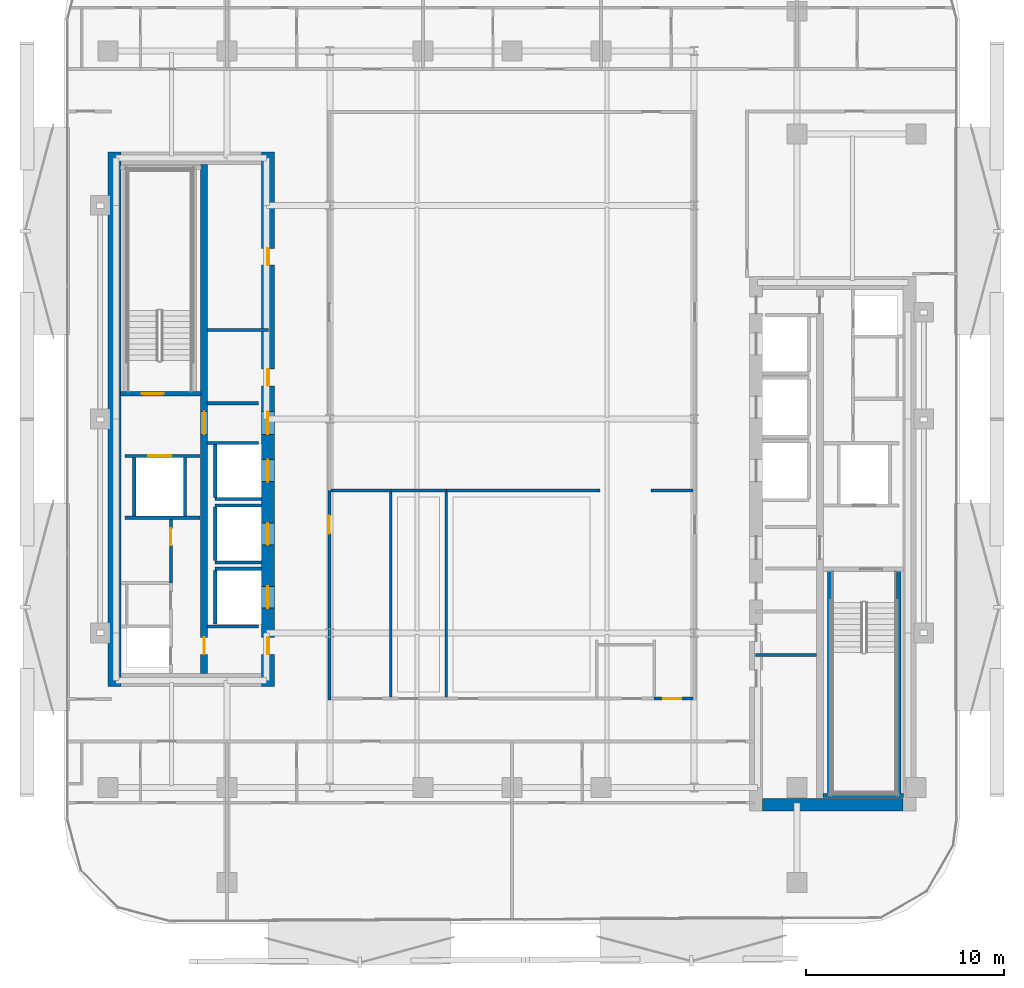
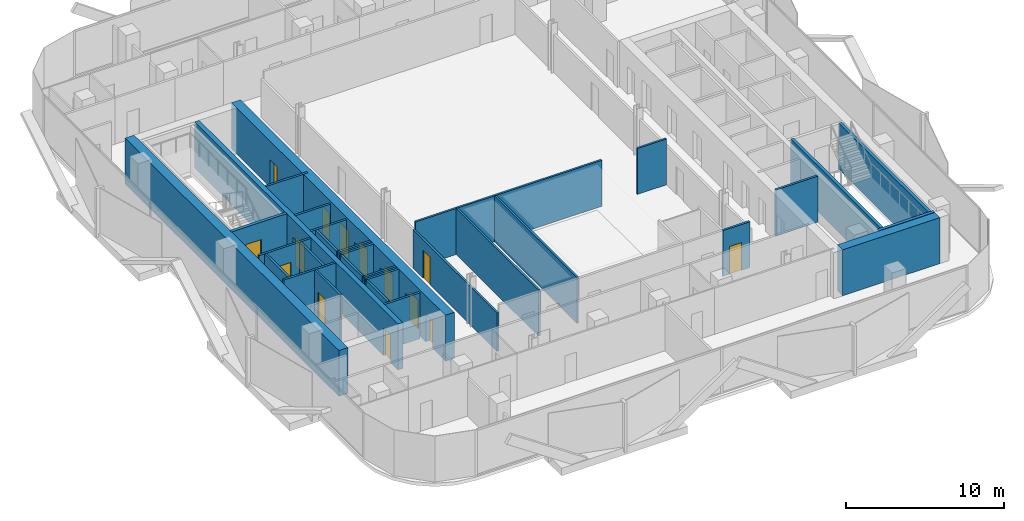
# One storey, part 4 of 17: 33 walls, 14 doors, 14 openings.
"""IFC4 building model written with IfcOpenShell, lengths in metres."""

from ifc_helpers import new_model, si_unit, direction, frame, frame_2d, origin, place, context, subcontext, project, spatial, rectangle, extrude, material, layer, layer_set, type_object, element, fill, save


model = new_model("IFC4")

# Units and contexts
model_context = context("Model", 3, precision=1e-05, world=origin(), true_north=direction((0.0, 1.0)))
body_context = subcontext(model_context, "Body", "Model", "MODEL_VIEW")
ifc_project = project(units=[si_unit("LENGTHUNIT", "METRE"), si_unit("AREAUNIT", "SQUARE_METRE"), si_unit("VOLUMEUNIT", "CUBIC_METRE"), si_unit("PLANEANGLEUNIT", "RADIAN"), si_unit("MASSUNIT", "GRAM", prefix="KILO")], contexts=[model_context])

# Site, building, storey
site_placement = place(None, origin())
site = spatial("IfcSite", under=ifc_project, at=site_placement, CompositionType="ELEMENT")
building_placement = place(site_placement, origin())
building = spatial("IfcBuilding", under=site, at=building_placement, Name="Khairoan Windgate Tower", CompositionType="ELEMENT")
storey_placement = place(building_placement, frame((0.0, 0.0, 168.800048828125)))
storey = spatial("IfcBuildingStorey", under=building, at=storey_placement, Name="L38", CompositionType="ELEMENT", Elevation=168.800048828125)

# Walls
ifc_material_1 = material(Name="Concrete C40/50", Category="concrete")
ifc_layer_1 = layer(ifc_material_1, 0.159912109375, Name="Concrete C40/50")
ifc_layer_set_1 = layer_set([ifc_layer_1], Name="Concrete C40/50")
wall_type_1 = type_object("IfcWallType", Name="Core and Hoistway Enclosure Wall", PredefinedType="STANDARD", material=ifc_layer_set_1)
wall_1_placement = place(storey_placement, frame((-14.989990234375, -4.0400390625, 0.0), z_axis=(0.0, 0.0, 1.0), x_axis=(1.0, 0.0, 0.0)))
element("IfcWall", 1, at=wall_1_placement, inside=storey, type_object=wall_type_1, Name="L38 Lift PL4 Hoistway Divider S", PredefinedType="STANDARD", context=body_context, shape_type="SweptSolid", body=[
    extrude(rectangle(XDim=2.340087890625, YDim=0.159912109375, at=frame_2d((1.169921875, 0.0))), origin(), (0.0, 0.0, 1.0), 3.5400390625),
])
wall_2_placement = place(storey_placement, frame((-14.989990234375, -3.949951171875, 0.0), z_axis=(0.0, 0.0, 1.0), x_axis=(0.0, 1.0, 0.0)))
element("IfcWall", 2, at=wall_2_placement, inside=storey, type_object=wall_type_1, Name="L38 Lift PL4 Hoistway Back Wall", PredefinedType="STANDARD", context=body_context, shape_type="SweptSolid", body=[
    extrude(rectangle(XDim=2.699951171875, YDim=0.159912109375, at=frame_2d((1.35009765625, 0.0))), origin(), (0.0, 0.0, 1.0), 3.5400390625),
])
for number, where, z_axis, x_axis, name in (
    (3, (-14.989990234375, -7.239990234375, 0.0), (0.0, 0.0, 1.0), (1.0, 0.0, 0.0), "L38 Lift PL5 Hoistway Divider S"),
    (4, (-14.989990234375, -4.360107421875, 0.0), (0.0, 0.0, 1.0), (1.0, 0.0, 0.0), "L38 Lift PL5 Hoistway Divider N"),
):
    element("IfcWall", number, at=place(storey_placement, frame(where, z_axis=z_axis, x_axis=x_axis)), inside=storey, type_object=wall_type_1, Name=name, PredefinedType="STANDARD", context=body_context, shape_type="SweptSolid", body=[
        extrude(rectangle(XDim=2.340087890625, YDim=0.159912109375, at=frame_2d((1.169921875, 0.0))), origin(), (0.0, 0.0, 1.0), 3.5400390625),
    ])
wall_3_placement = place(storey_placement, frame((-14.989990234375, -7.14990234375, 0.0), z_axis=(0.0, 0.0, 1.0), x_axis=(0.0, 1.0, 0.0)))
element("IfcWall", 5, at=wall_3_placement, inside=storey, type_object=wall_type_1, Name="L38 Lift PL5 Hoistway Back Wall", PredefinedType="STANDARD", context=body_context, shape_type="SweptSolid", body=[
    extrude(rectangle(XDim=2.699951171875, YDim=0.159912109375, at=frame_2d((1.35009765625, 0.0))), origin(), (0.0, 0.0, 1.0), 3.5400390625),
])
wall_4_placement = place(storey_placement, frame((-14.989990234375, -7.56005859375, 0.0), z_axis=(0.0, 0.0, 1.0), x_axis=(1.0, 0.0, 0.0)))
element("IfcWall", 6, at=wall_4_placement, inside=storey, type_object=wall_type_1, Name="L38 Lift PL6 Hoistway Divider N", PredefinedType="STANDARD", context=body_context, shape_type="SweptSolid", body=[
    extrude(rectangle(XDim=2.340087890625, YDim=0.159912109375, at=frame_2d((1.169921875, 0.0))), origin(), (0.0, 0.0, 1.0), 3.5400390625),
])
wall_5_placement = place(storey_placement, frame((-14.989990234375, -10.35009765625, 0.0), z_axis=(0.0, 0.0, 1.0), x_axis=(0.0, 1.0, 0.0)))
element("IfcWall", 7, at=wall_5_placement, inside=storey, type_object=wall_type_1, Name="L38 Lift PL6 Hoistway Back Wall", PredefinedType="STANDARD", context=body_context, shape_type="SweptSolid", body=[
    extrude(rectangle(XDim=2.7001953125, YDim=0.159912109375, at=frame_2d((1.35009765625, 0.0))), origin(), (0.0, 0.0, 1.0), 3.5400390625),
])

# Wall, opening, door
wall_6_placement = place(storey_placement, frame((-19.550048828125, -1.860107421875, 0.0), z_axis=(0.0, 0.0, 1.0), x_axis=(1.0, 0.0, 0.0)))
wall_6 = element("IfcWall", 8, at=wall_6_placement, inside=storey, type_object=wall_type_1, Name="L38 Core Shaft Wall SW-FL2-L38", PredefinedType="STANDARD", context=body_context, shape_type="SweptSolid", body=[
    extrude(rectangle(XDim=3.800048828125, YDim=0.159912109375, at=frame_2d((1.89990234375, 0.0))), origin(), (0.0, 0.0, 1.0), 3.5400390625),
])
opening_1_placement = place(wall_6_placement, frame((1.179931640625, 0.0, 0.0)))
opening_1 = element("IfcOpeningElement", 9, at=opening_1_placement, cuts=wall_6, Name="Opening LD-FL", PredefinedType="OPENING", context=body_context, shape_type="SweptSolid", body=[
    extrude(rectangle(XDim=1.14990234375, YDim=2.199951171875, at=frame_2d((0.574951171875, 1.10009765625))), frame((0.0, 0.08984375, 0.0), z_axis=(0.0, -1.0, 0.0), x_axis=(1.0, 0.0, 0.0)), (0.0, 0.0, 1.0), 0.179931640625),
])
ifc_material_2 = material(Name="Steel S355", Category="steel")
door_type_1 = type_object("IfcDoorType", Name="Firefighting Lift Sliding Landing Door LD-FL 1150x2200", OperationType="DOUBLE_DOOR_SLIDING", PredefinedType="DOOR", material=ifc_material_2)
door_1_placement = place(opening_1_placement, origin())
door_1 = element("IfcDoor", 10, at=door_1_placement, inside=storey, type_object=door_type_1, Name="L38 Firefighting Lift FL2 Landing Door", OperationType="DOUBLE_DOOR_SLIDING", OverallHeight=2.199951171875, OverallWidth=1.14990234375, PredefinedType="DOOR", context=body_context, shape_type="SweptSolid", body=[
    extrude(rectangle(XDim=1.14990234375, YDim=2.199951171875, at=frame_2d((0.574951171875, 1.10009765625))), frame((0.0, 0.02490234375, 0.0), z_axis=(0.0, -1.0, 0.0), x_axis=(1.0, 0.0, 0.0)), (0.0, 0.0, 1.0), 0.050048828125),
])
fill(opening_1, door_1)

# Walls
wall_7_placement = place(storey_placement, frame((-19.550048828125, -4.97998046875, 0.0), z_axis=(0.0, 0.0, 1.0), x_axis=(1.0, 0.0, 0.0)))
element("IfcWall", 11, at=wall_7_placement, inside=storey, type_object=wall_type_1, Name="L38 Core Shaft Wall SW-FL2B-L38", PredefinedType="STANDARD", context=body_context, shape_type="SweptSolid", body=[
    extrude(rectangle(XDim=3.800048828125, YDim=0.159912109375, at=frame_2d((1.89990234375, 0.0))), origin(), (0.0, 0.0, 1.0), 3.5400390625),
])
for number, where, z_axis, x_axis, name in (
    (12, (-19.080078125, -4.89990234375, 0.0), (0.0, 0.0, 1.0), (0.0, 1.0, 0.0), "L38 Core Shaft Wall SW-FL2W-L38"),
    (13, (-16.52001953125, -4.89990234375, 0.0), (0.0, 0.0, 1.0), (0.0, 1.0, 0.0), "L38 Core Shaft Wall SW-FL2E-L38"),
):
    element("IfcWall", number, at=place(storey_placement, frame(where, z_axis=z_axis, x_axis=x_axis)), inside=storey, type_object=wall_type_1, Name=name, PredefinedType="STANDARD", context=body_context, shape_type="SweptSolid", body=[
        extrude(rectangle(XDim=2.9599609375, YDim=0.159912109375, at=frame_2d((1.47998046875, 0.0))), origin(), (0.0, 0.0, 1.0), 3.5400390625),
    ])
for number, where, z_axis, x_axis, name in (
    (14, (-15.39990234375, 0.800048828125, 0.0), (0.0, 0.0, 1.0), (1.0, 0.0, 0.0), "L38 Core Shaft Wall SW-WV1-L38"),
    (15, (-15.39990234375, -1.199951171875, 0.0), (0.0, 0.0, 1.0), (1.0, 0.0, 0.0), "L38 Core Shaft Wall SW-WV2-L38"),
    (16, (-15.39990234375, -10.47998046875, 0.0), (0.0, 0.0, 1.0), (1.0, 0.0, 0.0), "L38 Core Shaft Wall SW-WSV-L38"),
):
    element("IfcWall", number, at=place(storey_placement, frame(where, z_axis=z_axis, x_axis=x_axis)), inside=storey, type_object=wall_type_1, Name=name, PredefinedType="STANDARD", context=body_context, shape_type="SweptSolid", body=[
        extrude(rectangle(XDim=2.599853515625, YDim=0.159912109375, at=frame_2d((1.2998046875, 0.0))), origin(), (0.0, 0.0, 1.0), 3.5400390625),
    ])
ifc_material_3 = material(Name="Acoustic Fire-Rated Gypsum Partition", Category="gypsum")
ifc_layer_2 = layer(ifc_material_3, 0.139892578125, Name="Acoustic Fire-Rated Gypsum Partition")
ifc_layer_set_2 = layer_set([ifc_layer_2], Name="Acoustic Fire-Rated Gypsum Partition")
wall_type_2 = type_object("IfcWallType", Name="Inter-Tenancy Compartment Wall", PredefinedType="PARTITIONING", material=ifc_layer_set_2)
wall_8_placement = place(storey_placement, frame((-6.1201171875, -14.044921875, 0.0), z_axis=(0.0, 0.0, 1.0), x_axis=(0.0, 1.0, 0.0)))
element("IfcWall", 17, at=wall_8_placement, inside=storey, type_object=wall_type_2, Name="L38 Interior Partition 044", PredefinedType="PARTITIONING", context=body_context, shape_type="SweptSolid", body=[
    extrude(rectangle(XDim=10.375, YDim=0.139892578125, at=frame_2d((5.1875, 0.0))), origin(), (0.0, 0.0, 1.0), 3.5400390625),
])
wall_9_placement = place(storey_placement, frame((-9.14501953125, -3.60009765625, 0.0), z_axis=(0.0, 0.0, 1.0), x_axis=(1.0, 0.0, 0.0)))
element("IfcWall", 18, at=wall_9_placement, inside=storey, type_object=wall_type_2, Name="L38 Interior Partition 045", PredefinedType="PARTITIONING", context=body_context, shape_type="SweptSolid", body=[
    extrude(rectangle(XDim=3.02490234375, YDim=0.139892578125, at=frame_2d((1.512451171875, 0.0))), origin(), (0.0, 0.0, 1.0), 3.5400390625),
])
wall_10_placement = place(storey_placement, frame((-3.320068359375, -14.044921875, 0.0), z_axis=(0.0, 0.0, 1.0), x_axis=(0.0, 1.0, 0.0)))
element("IfcWall", 19, at=wall_10_placement, inside=storey, type_object=wall_type_2, Name="L38 Interior Partition 046", PredefinedType="PARTITIONING", context=body_context, shape_type="SweptSolid", body=[
    extrude(rectangle(XDim=10.375, YDim=0.139892578125, at=frame_2d((5.1875, 0.0))), origin(), (0.0, 0.0, 1.0), 3.5400390625),
])
wall_11_placement = place(storey_placement, frame((-6.1201171875, -3.60009765625, 0.0), z_axis=(0.0, 0.0, 1.0), x_axis=(1.0, 0.0, 0.0)))
element("IfcWall", 20, at=wall_11_placement, inside=storey, type_object=wall_type_2, Name="L38 Interior Partition 047", PredefinedType="PARTITIONING", context=body_context, shape_type="SweptSolid", body=[
    extrude(rectangle(XDim=2.800048828125, YDim=0.139892578125, at=frame_2d((1.39990234375, 0.0))), origin(), (0.0, 0.0, 1.0), 3.5400390625),
])
wall_12_placement = place(storey_placement, frame((-3.320068359375, -3.60009765625, 0.0), z_axis=(0.0, 0.0, 1.0), x_axis=(1.0, 0.0, 0.0)))
element("IfcWall", 21, at=wall_12_placement, inside=storey, type_object=wall_type_2, Name="L38 Interior Partition 049", PredefinedType="PARTITIONING", context=body_context, shape_type="SweptSolid", body=[
    extrude(rectangle(XDim=7.760009765625, YDim=0.139892578125, at=frame_2d((3.8798828125, 0.0))), origin(), (0.0, 0.0, 1.0), 3.5400390625),
])
wall_13_placement = place(storey_placement, frame((7.02001953125, -3.60009765625, 0.0), z_axis=(0.0, 0.0, 1.0), x_axis=(1.0, 0.0, 0.0)))
element("IfcWall", 22, at=wall_13_placement, inside=storey, type_object=wall_type_2, Name="L38 Interior Partition 051", PredefinedType="PARTITIONING", context=body_context, shape_type="SweptSolid", body=[
    extrude(rectangle(XDim=2.125, YDim=0.139892578125, at=frame_2d((1.0625, 0.0))), origin(), (0.0, 0.0, 1.0), 3.5400390625),
])

# Wall, opening, door
ifc_material_4 = material(Name="Concrete C40/50", Category="concrete")
ifc_layer_3 = layer(ifc_material_4, 0.159912109375, Name="Concrete C40/50")
ifc_layer_set_3 = layer_set([ifc_layer_3], Name="Concrete C40/50")
wall_type_3 = type_object("IfcWallType", Name="Plant and Refuge Compartment Wall", PredefinedType="PARTITIONING", material=ifc_layer_set_3)
wall_14_placement = place(storey_placement, frame((-17.22998046875, -8.27001953125, 0.0), z_axis=(0.0, 0.0, 1.0), x_axis=(0.0, 1.0, 0.0)))
wall_14 = element("IfcWall", 23, at=wall_14_placement, inside=storey, type_object=wall_type_3, Name="L38 Interior Partition 003", PredefinedType="PARTITIONING", context=body_context, shape_type="SweptSolid", body=[
    extrude(rectangle(XDim=3.2099609375, YDim=0.159912109375, at=frame_2d((1.60498046875, 0.0))), origin(), (0.0, 0.0, 1.0), 3.5400390625),
])
opening_2_placement = place(wall_14_placement, frame((1.89990234375, 0.0, 0.0)))
opening_2 = element("IfcOpeningElement", 24, at=opening_2_placement, cuts=wall_14, Name="Opening FD-SRV", PredefinedType="OPENING", context=body_context, shape_type="SweptSolid", body=[
    extrude(rectangle(XDim=0.85009765625, YDim=2.10009765625, at=frame_2d((0.425048828125, 1.050048828125))), frame((0.0, 0.08984375, 0.0), z_axis=(0.0, -1.0, 0.0), x_axis=(1.0, 0.0, 0.0)), (0.0, 0.0, 1.0), 0.179931640625),
])
ifc_material_5 = material(Name="Steel S355", Category="steel")
door_type_2 = type_object("IfcDoorType", Name="Core Service and Riser Fire Door FD-SRV 850x2100", OperationType="NOTDEFINED", PredefinedType="DOOR", material=ifc_material_5)
door_2_placement = place(opening_2_placement, origin())
door_2 = element("IfcDoor", 25, at=door_2_placement, inside=storey, type_object=door_type_2, Name="L38 L38-04-L38-07 Door", OperationType="SINGLE_SWING_RIGHT", OverallHeight=2.10009765625, OverallWidth=0.85009765625, PredefinedType="DOOR", context=body_context, shape_type="SweptSolid", body=[
    extrude(rectangle(XDim=0.85009765625, YDim=2.10009765625, at=frame_2d((0.425048828125, 1.050048828125))), frame((0.0, 0.02490234375, 0.0), z_axis=(0.0, -1.0, 0.0), x_axis=(1.0, 0.0, 0.0)), (0.0, 0.0, 1.0), 0.050048828125),
])
fill(opening_2, door_2)

# Walls
for number, where, z_axis, x_axis, name in (
    (26, (-15.375, 4.5, 0.0), (0.0, 0.0, 1.0), (1.0, 0.0, 0.0), "L38 Interior Partition 006"),
    (27, (12.31005859375, -11.919921875, 0.0), (0.0, 0.0, 1.0), (1.0, 0.0, 0.0), "L38 Interior Partition 012"),
):
    element("IfcWall", number, at=place(storey_placement, frame(where, z_axis=z_axis, x_axis=x_axis)), inside=storey, type_object=wall_type_3, Name=name, PredefinedType="PARTITIONING", context=body_context, shape_type="SweptSolid", body=[
        extrude(rectangle(XDim=3.06494140625, YDim=0.159912109375, at=frame_2d((1.532470703125, 0.0))), origin(), (0.0, 0.0, 1.0), 3.5400390625),
    ])

# Wall, opening, door
ifc_material_6 = material(Name="Acoustic Fire-Rated Gypsum Partition", Category="gypsum")
ifc_layer_4 = layer(ifc_material_6, 0.14990234375, Name="Acoustic Fire-Rated Gypsum Partition")
ifc_layer_set_4 = layer_set([ifc_layer_4], Name="Acoustic Fire-Rated Gypsum Partition")
wall_type_4 = type_object("IfcWallType", Name="Rated Corridor Partition Wall", PredefinedType="PARTITIONING", material=ifc_layer_set_4)
wall_15_placement = place(storey_placement, frame((-9.219970703125, -14.195068359375, 0.0), z_axis=(0.0, 0.0, 1.0), x_axis=(0.0, 1.0, 0.0)))
wall_15 = element("IfcWall", 28, at=wall_15_placement, inside=storey, type_object=wall_type_4, Name="L38 Interior Partition 014", PredefinedType="PARTITIONING", context=body_context, shape_type="SweptSolid", body=[
    extrude(rectangle(XDim=10.594970703125, YDim=0.14990234375, at=frame_2d((5.29736328125, 0.0))), origin(), (0.0, 0.0, 1.0), 2.951904296875),
])
opening_3_placement = place(wall_15_placement, frame((8.418701171875, 0.0, 0.0)))
opening_3 = element("IfcOpeningElement", 29, at=opening_3_placement, cuts=wall_15, Name="Opening FD-ENT", PredefinedType="OPENING", context=body_context, shape_type="SweptSolid", body=[
    extrude(rectangle(XDim=0.89990234375, YDim=2.14990234375, at=frame_2d((0.449951171875, 1.074951171875))), frame((0.0, 0.0849609375, 0.0), z_axis=(0.0, -1.0, 0.0), x_axis=(1.0, 0.0, 0.0)), (0.0, 0.0, 1.0), 0.169921875),
])
ifc_material_7 = material(Name="Timber Fire-Rated Core", Category="wood")
door_type_3 = type_object("IfcDoorType", Name="Unit and Office Fire Entrance Door FD-ENT 900x2150", OperationType="NOTDEFINED", PredefinedType="DOOR", material=ifc_material_7)
door_3_placement = place(opening_3_placement, origin())
door_3 = element("IfcDoor", 30, at=door_3_placement, inside=storey, type_object=door_type_3, Name="L38 L38-30-L38-34 Door", OperationType="SINGLE_SWING_RIGHT", OverallHeight=2.14990234375, OverallWidth=0.89990234375, PredefinedType="DOOR", context=body_context, shape_type="SweptSolid", body=[
    extrude(rectangle(XDim=0.89990234375, YDim=2.14990234375, at=frame_2d((0.449951171875, 1.074951171875))), frame((0.0, 0.02490234375, 0.0), z_axis=(0.0, -1.0, 0.0), x_axis=(1.0, 0.0, 0.0)), (0.0, 0.0, 1.0), 0.050048828125),
])
fill(opening_3, door_3)

wall_16_placement = place(storey_placement, frame((7.179931640625, -14.1201171875, 0.0), z_axis=(0.0, 0.0, 1.0), x_axis=(1.0, 0.0, 0.0)))
wall_16 = element("IfcWall", 31, at=wall_16_placement, inside=storey, type_object=wall_type_4, Name="L38 Interior Partition 036", PredefinedType="PARTITIONING", context=body_context, shape_type="SweptSolid", body=[
    extrude(rectangle(XDim=1.965087890625, YDim=0.14990234375, at=frame_2d((0.982421875, 0.0))), origin(), (0.0, 0.0, 1.0), 3.5400390625),
])
opening_4_placement = place(wall_16_placement, frame((0.4599609375, 0.0, 0.0)))
opening_4 = element("IfcOpeningElement", 32, at=opening_4_placement, cuts=wall_16, Name="Opening FD-ENT", PredefinedType="OPENING", context=body_context, shape_type="SweptSolid", body=[
    extrude(rectangle(XDim=0.89990234375, YDim=2.14990234375, at=frame_2d((0.449951171875, 1.074951171875))), frame((0.0, 0.0849609375, 0.0), z_axis=(0.0, -1.0, 0.0), x_axis=(1.0, 0.0, 0.0)), (0.0, 0.0, 1.0), 0.169921875),
])
door_4_placement = place(opening_4_placement, origin())
door_4 = element("IfcDoor", 33, at=door_4_placement, inside=storey, type_object=door_type_3, Name="L38 L38-33-L38-38 Door", OperationType="SINGLE_SWING_LEFT", OverallHeight=2.14990234375, OverallWidth=0.89990234375, PredefinedType="DOOR", context=body_context, shape_type="SweptSolid", body=[
    extrude(rectangle(XDim=0.89990234375, YDim=2.14990234375, at=frame_2d((0.449951171875, 1.074951171875))), frame((0.0, 0.02490234375, 0.0), z_axis=(0.0, -1.0, 0.0), x_axis=(1.0, 0.0, 0.0)), (0.0, 0.0, 1.0), 0.050048828125),
])
fill(opening_4, door_4)

# Walls
ifc_material_8 = material(Name="Concrete C60/75", Category="concrete")
ifc_layer_5 = layer(ifc_material_8, 0.64990234375, Name="Concrete C60/75")
ifc_layer_set_5 = layer_set([ifc_layer_5], Name="Concrete C60/75")
wall_type_5 = type_object("IfcWallType", Name="Shear Wall CW-E2 650mm", PredefinedType="SHEAR", material=ifc_layer_set_5)
wall_17_placement = place(storey_placement, frame((12.64990234375, -19.47509765625, 0.0), z_axis=(0.0, 0.0, 1.0), x_axis=(1.0, 0.0, 0.0)))
element("IfcWall", 34, at=wall_17_placement, inside=storey, type_object=wall_type_5, Name="E Core South Shear Wall L38", PredefinedType="SHEAR", context=body_context, shape_type="SweptSolid", body=[
    extrude(rectangle(XDim=7.10009765625, YDim=0.64990234375, at=frame_2d((3.550048828125, 0.0))), origin(), (0.0, 0.0, 1.0), 3.5400390625),
])
ifc_material_9 = material(Name="Concrete C60/75", Category="concrete")
ifc_layer_6 = layer(ifc_material_9, 0.64990234375, Name="Concrete C60/75")
ifc_layer_set_6 = layer_set([ifc_layer_6], Name="Concrete C60/75")
wall_type_6 = type_object("IfcWallType", Name="Shear Wall CW-W2 650mm", PredefinedType="SHEAR", material=ifc_layer_set_6)
wall_18_placement = place(storey_placement, frame((-20.074951171875, -13.5, 0.0), z_axis=(0.0, 0.0, 1.0), x_axis=(0.0, 1.0, 0.0)))
element("IfcWall", 35, at=wall_18_placement, inside=storey, type_object=wall_type_6, Name="W Core West Shear Wall L38", PredefinedType="SHEAR", context=body_context, shape_type="SweptSolid", body=[
    extrude(rectangle(XDim=27.0, YDim=0.64990234375, at=frame_2d((13.5, 0.0))), origin(), (0.0, 0.0, 1.0), 3.5400390625),
])

# Wall, openings, doors
wall_19_placement = place(storey_placement, frame((-12.324951171875, -13.5, 0.0), z_axis=(0.0, 0.0, 1.0), x_axis=(0.0, 1.0, 0.0)))
wall_19 = element("IfcWall", 36, at=wall_19_placement, inside=storey, type_object=wall_type_6, Name="W Core East Shear Wall L38", PredefinedType="SHEAR", context=body_context, shape_type="SweptSolid", body=[
    extrude(rectangle(XDim=27.0, YDim=0.64990234375, at=frame_2d((13.5, 0.0))), origin(), (0.0, 0.0, 1.0), 3.5400390625),
])
opening_5_placement = place(wall_19_placement, frame((10.35009765625, 0.0, 0.0)))
opening_5 = element("IfcOpeningElement", 37, at=opening_5_placement, cuts=wall_19, Name="Opening LD-PL", PredefinedType="OPENING", context=body_context, shape_type="SweptSolid", body=[
    extrude(rectangle(XDim=1.10009765625, YDim=2.199951171875, at=frame_2d((0.550048828125, 1.10009765625))), frame((0.0, 0.3349609375, 0.0), z_axis=(0.0, -1.0, 0.0), x_axis=(1.0, 0.0, 0.0)), (0.0, 0.0, 1.0), 0.669921875),
])
opening_6_placement = place(wall_19_placement, frame((7.14990234375, 0.0, 0.0)))
opening_6 = element("IfcOpeningElement", 38, at=opening_6_placement, cuts=wall_19, Name="Opening LD-PL", PredefinedType="OPENING", context=body_context, shape_type="SweptSolid", body=[
    extrude(rectangle(XDim=1.10009765625, YDim=2.199951171875, at=frame_2d((0.550048828125, 1.10009765625))), frame((0.0, 0.3349609375, 0.0), z_axis=(0.0, -1.0, 0.0), x_axis=(1.0, 0.0, 0.0)), (0.0, 0.0, 1.0), 0.669921875),
])
opening_7_placement = place(wall_19_placement, frame((3.949951171875, 0.0, 0.0)))
opening_7 = element("IfcOpeningElement", 39, at=opening_7_placement, cuts=wall_19, Name="Opening LD-PL", PredefinedType="OPENING", context=body_context, shape_type="SweptSolid", body=[
    extrude(rectangle(XDim=1.10009765625, YDim=2.199951171875, at=frame_2d((0.550048828125, 1.10009765625))), frame((0.0, 0.3349609375, 0.0), z_axis=(0.0, -1.0, 0.0), x_axis=(1.0, 0.0, 0.0)), (0.0, 0.0, 1.0), 0.669921875),
])
opening_8_placement = place(wall_19_placement, frame((15.175048828125, 0.0, 0.0)))
opening_8 = element("IfcOpeningElement", 40, at=opening_8_placement, cuts=wall_19, Name="Opening FD-SRV", PredefinedType="OPENING", context=body_context, shape_type="SweptSolid", body=[
    extrude(rectangle(XDim=0.85009765625, YDim=2.10009765625, at=frame_2d((0.425048828125, 1.050048828125))), frame((0.0, 0.3349609375, 0.0), z_axis=(0.0, -1.0, 0.0), x_axis=(1.0, 0.0, 0.0)), (0.0, 0.0, 1.0), 0.669921875),
])
opening_9_placement = place(wall_19_placement, frame((21.27490234375, 0.0, 0.0)))
opening_9 = element("IfcOpeningElement", 41, at=opening_9_placement, cuts=wall_19, Name="Opening FD-SRV", PredefinedType="OPENING", context=body_context, shape_type="SweptSolid", body=[
    extrude(rectangle(XDim=0.85009765625, YDim=2.10009765625, at=frame_2d((0.425048828125, 1.050048828125))), frame((0.0, 0.3349609375, 0.0), z_axis=(0.0, -1.0, 0.0), x_axis=(1.0, 0.0, 0.0)), (0.0, 0.0, 1.0), 0.669921875),
])
opening_10_placement = place(wall_19_placement, frame((12.72509765625, 0.0, 0.0)))
opening_10 = element("IfcOpeningElement", 42, at=opening_10_placement, cuts=wall_19, Name="Opening FD-FFL", PredefinedType="OPENING", context=body_context, shape_type="SweptSolid", body=[
    extrude(rectangle(XDim=1.14990234375, YDim=2.199951171875, at=frame_2d((0.574951171875, 1.10009765625))), frame((0.0, 0.3349609375, 0.0), z_axis=(0.0, -1.0, 0.0), x_axis=(1.0, 0.0, 0.0)), (0.0, 0.0, 1.0), 0.669921875),
])
opening_11_placement = place(wall_19_placement, frame((1.625, 0.0, 0.0)))
opening_11 = element("IfcOpeningElement", 43, at=opening_11_placement, cuts=wall_19, Name="Opening FD-SRV", PredefinedType="OPENING", context=body_context, shape_type="SweptSolid", body=[
    extrude(rectangle(XDim=0.85009765625, YDim=2.10009765625, at=frame_2d((0.425048828125, 1.050048828125))), frame((0.0, 0.3349609375, 0.0), z_axis=(0.0, -1.0, 0.0), x_axis=(1.0, 0.0, 0.0)), (0.0, 0.0, 1.0), 0.669921875),
])
door_5_placement = place(opening_8_placement, origin())
door_5 = element("IfcDoor", 44, at=door_5_placement, inside=storey, type_object=door_type_2, Name="L38 Upper Core Room Door B1-1", OperationType="SINGLE_SWING_LEFT", OverallHeight=2.10009765625, OverallWidth=0.85009765625, PredefinedType="DOOR", context=body_context, shape_type="SweptSolid", body=[
    extrude(rectangle(XDim=0.85009765625, YDim=2.10009765625, at=frame_2d((0.425048828125, 1.050048828125))), frame((0.0, 0.02490234375, 0.0), z_axis=(0.0, -1.0, 0.0), x_axis=(1.0, 0.0, 0.0)), (0.0, 0.0, 1.0), 0.050048828125),
])
fill(opening_8, door_5)
door_6_placement = place(opening_9_placement, origin())
door_6 = element("IfcDoor", 45, at=door_6_placement, inside=storey, type_object=door_type_2, Name="L38 Upper Core Room Door B1-2", OperationType="SINGLE_SWING_RIGHT", OverallHeight=2.10009765625, OverallWidth=0.85009765625, PredefinedType="DOOR", context=body_context, shape_type="SweptSolid", body=[
    extrude(rectangle(XDim=0.85009765625, YDim=2.10009765625, at=frame_2d((0.425048828125, 1.050048828125))), frame((0.0, 0.02490234375, 0.0), z_axis=(0.0, -1.0, 0.0), x_axis=(1.0, 0.0, 0.0)), (0.0, 0.0, 1.0), 0.050048828125),
])
fill(opening_9, door_6)
door_7_placement = place(opening_11_placement, origin())
door_7 = element("IfcDoor", 46, at=door_7_placement, inside=storey, type_object=door_type_2, Name="L38 West Core Service Vestibule Outer Door", OperationType="SINGLE_SWING_RIGHT", OverallHeight=2.10009765625, OverallWidth=0.85009765625, PredefinedType="DOOR", context=body_context, shape_type="SweptSolid", body=[
    extrude(rectangle(XDim=0.85009765625, YDim=2.10009765625, at=frame_2d((0.425048828125, 1.050048828125))), frame((0.0, 0.02490234375, 0.0), z_axis=(0.0, -1.0, 0.0), x_axis=(1.0, 0.0, 0.0)), (0.0, 0.0, 1.0), 0.050048828125),
])
fill(opening_11, door_7)
ifc_material_10 = material(Name="Steel S355", Category="steel")
door_type_4 = type_object("IfcDoorType", Name="Firefighting Lobby Fire Door FD-FFL 1150x2200", OperationType="NOTDEFINED", PredefinedType="DOOR", material=ifc_material_10)
door_8_placement = place(opening_10_placement, origin())
door_8 = element("IfcDoor", 47, at=door_8_placement, inside=storey, type_object=door_type_4, Name="L38 West Core Vestibule Entry Door", OperationType="SINGLE_SWING_RIGHT", OverallHeight=2.199951171875, OverallWidth=1.14990234375, PredefinedType="DOOR", context=body_context, shape_type="SweptSolid", body=[
    extrude(rectangle(XDim=1.14990234375, YDim=2.199951171875, at=frame_2d((0.574951171875, 1.10009765625))), frame((0.0, 0.02490234375, 0.0), z_axis=(0.0, -1.0, 0.0), x_axis=(1.0, 0.0, 0.0)), (0.0, 0.0, 1.0), 0.050048828125),
])
fill(opening_10, door_8)
ifc_material_11 = material(Name="Anodised Bronze Aluminium 6063-T6", Category="aluminium")
door_type_5 = type_object("IfcDoorType", Name="Passenger Lift Sliding Landing Door LD-PL 1100x2200", OperationType="DOUBLE_DOOR_SLIDING", PredefinedType="DOOR", material=ifc_material_11)
door_9_placement = place(opening_5_placement, origin())
door_9 = element("IfcDoor", 48, at=door_9_placement, inside=storey, type_object=door_type_5, Name="L38 Lift PL4 Sliding Landing Door", OperationType="DOUBLE_DOOR_SLIDING", OverallHeight=2.199951171875, OverallWidth=1.10009765625, PredefinedType="DOOR", context=body_context, shape_type="SweptSolid", body=[
    extrude(rectangle(XDim=1.10009765625, YDim=2.199951171875, at=frame_2d((0.550048828125, 1.10009765625))), frame((0.0, 0.02490234375, 0.0), z_axis=(0.0, -1.0, 0.0), x_axis=(1.0, 0.0, 0.0)), (0.0, 0.0, 1.0), 0.050048828125),
])
fill(opening_5, door_9)
door_10_placement = place(opening_6_placement, origin())
door_10 = element("IfcDoor", 49, at=door_10_placement, inside=storey, type_object=door_type_5, Name="L38 Lift PL5 Sliding Landing Door", OperationType="DOUBLE_DOOR_SLIDING", OverallHeight=2.199951171875, OverallWidth=1.10009765625, PredefinedType="DOOR", context=body_context, shape_type="SweptSolid", body=[
    extrude(rectangle(XDim=1.10009765625, YDim=2.199951171875, at=frame_2d((0.550048828125, 1.10009765625))), frame((0.0, 0.02490234375, 0.0), z_axis=(0.0, -1.0, 0.0), x_axis=(1.0, 0.0, 0.0)), (0.0, 0.0, 1.0), 0.050048828125),
])
fill(opening_6, door_10)
door_11_placement = place(opening_7_placement, origin())
door_11 = element("IfcDoor", 50, at=door_11_placement, inside=storey, type_object=door_type_5, Name="L38 Lift PL6 Sliding Landing Door", OperationType="DOUBLE_DOOR_SLIDING", OverallHeight=2.199951171875, OverallWidth=1.10009765625, PredefinedType="DOOR", context=body_context, shape_type="SweptSolid", body=[
    extrude(rectangle(XDim=1.10009765625, YDim=2.199951171875, at=frame_2d((0.550048828125, 1.10009765625))), frame((0.0, 0.02490234375, 0.0), z_axis=(0.0, -1.0, 0.0), x_axis=(1.0, 0.0, 0.0)), (0.0, 0.0, 1.0), 0.050048828125),
])
fill(opening_7, door_11)

ifc_material_12 = material(Name="Concrete C60/75", Category="concrete")
ifc_layer_7 = layer(ifc_material_12, 0.35009765625, Name="Concrete C60/75")
ifc_layer_set_7 = layer_set([ifc_layer_7], Name="Concrete C60/75")
wall_type_7 = type_object("IfcWallType", Name="Shear Wall SW-1 350mm", PredefinedType="SHEAR", material=ifc_layer_set_7)
wall_20_placement = place(storey_placement, frame((-15.550048828125, -12.85009765625, 0.0), z_axis=(0.0, 0.0, 1.0), x_axis=(0.0, 1.0, 0.0)))
wall_20 = element("IfcWall", 51, at=wall_20_placement, inside=storey, type_object=wall_type_7, Name="W Core Spine Shear Wall L38", PredefinedType="SHEAR", context=body_context, shape_type="SweptSolid", body=[
    extrude(rectangle(XDim=25.7001953125, YDim=0.35009765625, at=frame_2d((12.85009765625, 0.0))), origin(), (0.0, 0.0, 1.0), 3.5400390625),
])
opening_12_placement = place(wall_20_placement, frame((12.074951171875, 0.0, 0.0)))
opening_12 = element("IfcOpeningElement", 52, at=opening_12_placement, cuts=wall_20, Name="Opening FD-FFL", PredefinedType="OPENING", context=body_context, shape_type="SweptSolid", body=[
    extrude(rectangle(XDim=1.14990234375, YDim=2.199951171875, at=frame_2d((0.574951171875, 1.10009765625))), frame((0.0, 0.18505859375, 0.0), z_axis=(0.0, -1.0, 0.0), x_axis=(1.0, 0.0, 0.0)), (0.0, 0.0, 1.0), 0.3701171875),
])
opening_13_placement = place(wall_20_placement, frame((0.97509765625, 0.0, 0.0)))
opening_13 = element("IfcOpeningElement", 53, at=opening_13_placement, cuts=wall_20, Name="Opening FD-SRV", PredefinedType="OPENING", context=body_context, shape_type="SweptSolid", body=[
    extrude(rectangle(XDim=0.85009765625, YDim=2.10009765625, at=frame_2d((0.425048828125, 1.050048828125))), frame((0.0, 0.18505859375, 0.0), z_axis=(0.0, -1.0, 0.0), x_axis=(1.0, 0.0, 0.0)), (0.0, 0.0, 1.0), 0.3701171875),
])
door_12_placement = place(opening_13_placement, origin())
door_12 = element("IfcDoor", 54, at=door_12_placement, inside=storey, type_object=door_type_2, Name="L38 West Core Service Passage Inner Door", OperationType="SINGLE_SWING_LEFT", OverallHeight=2.10009765625, OverallWidth=0.85009765625, PredefinedType="DOOR", context=body_context, shape_type="SweptSolid", body=[
    extrude(rectangle(XDim=0.85009765625, YDim=2.10009765625, at=frame_2d((0.425048828125, 1.050048828125))), frame((0.0, 0.02490234375, 0.0), z_axis=(0.0, -1.0, 0.0), x_axis=(1.0, 0.0, 0.0)), (0.0, 0.0, 1.0), 0.050048828125),
])
fill(opening_13, door_12)
door_13_placement = place(opening_12_placement, origin())
door_13 = element("IfcDoor", 55, at=door_13_placement, inside=storey, type_object=door_type_4, Name="L38 West Firefighting Lobby Fire Door", OperationType="SINGLE_SWING_LEFT", OverallHeight=2.199951171875, OverallWidth=1.14990234375, PredefinedType="DOOR", context=body_context, shape_type="SweptSolid", body=[
    extrude(rectangle(XDim=1.14990234375, YDim=2.199951171875, at=frame_2d((0.574951171875, 1.10009765625))), frame((0.0, 0.02490234375, 0.0), z_axis=(0.0, -1.0, 0.0), x_axis=(1.0, 0.0, 0.0)), (0.0, 0.0, 1.0), 0.050048828125),
])
fill(opening_12, door_13)

# Walls
ifc_material_13 = material(Name="Concrete C50/60", Category="concrete")
ifc_layer_8 = layer(ifc_material_13, 0.219970703125, Name="Concrete C50/60")
ifc_layer_set_8 = layer_set([ifc_layer_8], Name="Concrete C50/60")
wall_type_8 = type_object("IfcWallType", Name="Shear Wall SW-ST 220mm", PredefinedType="SHEAR", material=ifc_layer_set_8)
for number, where, z_axis, x_axis, name in (
    (56, (16.0400390625, -19.010009765625, 0.0), (0.0, 0.0, 1.0), (0.0, 1.0, 0.0), "L38 Stair ST1 West Bearing Wall"),
    (57, (19.530029296875, -19.010009765625, 0.0), (0.0, 0.0, 1.0), (0.0, 1.0, 0.0), "L38 Stair ST1 East Bearing Wall"),
):
    element("IfcWall", number, at=place(storey_placement, frame(where, z_axis=z_axis, x_axis=x_axis)), inside=storey, type_object=wall_type_8, Name=name, PredefinedType="SHEAR", context=body_context, shape_type="SweptSolid", body=[
        extrude(rectangle(XDim=11.419921875, YDim=0.219970703125, at=frame_2d((5.7099609375, 0.0))), origin(), (0.0, 0.0, 1.0), 3.5400390625),
    ])
wall_21_placement = place(storey_placement, frame((15.705078125, -19.010009765625, 0.0), z_axis=(0.0, 0.0, 1.0), x_axis=(1.0, 0.0, 0.0)))
element("IfcWall", 58, at=wall_21_placement, inside=storey, type_object=wall_type_8, Name="L38 Stair ST1 South Bearing Wall", PredefinedType="SHEAR", context=body_context, shape_type="SweptSolid", body=[
    extrude(rectangle(XDim=4.06494140625, YDim=0.219970703125, at=frame_2d((2.032470703125, 0.0))), origin(), (0.0, 0.0, 1.0), 3.5400390625),
])

# Wall, opening, door
wall_22_placement = place(storey_placement, frame((-19.77001953125, 1.2900390625, 0.0), z_axis=(0.0, 0.0, 1.0), x_axis=(1.0, 0.0, 0.0)))
wall_22 = element("IfcWall", 59, at=wall_22_placement, inside=storey, type_object=wall_type_8, Name="L38 Stair ST2 South Bearing Wall", PredefinedType="SHEAR", context=body_context, shape_type="SweptSolid", body=[
    extrude(rectangle(XDim=4.06494140625, YDim=0.219970703125, at=frame_2d((2.032470703125, 0.0))), origin(), (0.0, 0.0, 1.0), 3.5400390625),
])
opening_14_placement = place(wall_22_placement, frame((1.080078125, 0.0, 0.0)))
opening_14 = element("IfcOpeningElement", 60, at=opening_14_placement, cuts=wall_22, Name="Opening FD-ST", PredefinedType="OPENING", context=body_context, shape_type="SweptSolid", body=[
    extrude(rectangle(XDim=1.10009765625, YDim=2.199951171875, at=frame_2d((0.550048828125, 1.10009765625))), frame((0.0, 0.119873046875, 0.0), z_axis=(0.0, -1.0, 0.0), x_axis=(1.0, 0.0, 0.0)), (0.0, 0.0, 1.0), 0.239990234375),
])
ifc_material_14 = material(Name="Steel S355", Category="steel")
door_type_6 = type_object("IfcDoorType", Name="Smokeproof Stair Fire Door FD-ST 1100x2200", OperationType="NOTDEFINED", PredefinedType="DOOR", material=ifc_material_14)
door_14_placement = place(opening_14_placement, origin())
door_14 = element("IfcDoor", 61, at=door_14_placement, inside=storey, type_object=door_type_6, Name="L38 Stair ST2 Fire Door", OperationType="SINGLE_SWING_RIGHT", OverallHeight=2.199951171875, OverallWidth=1.10009765625, PredefinedType="DOOR", context=body_context, shape_type="SweptSolid", body=[
    extrude(rectangle(XDim=1.10009765625, YDim=2.199951171875, at=frame_2d((0.550048828125, 1.10009765625))), frame((0.0, 0.02490234375, 0.0), z_axis=(0.0, -1.0, 0.0), x_axis=(1.0, 0.0, 0.0)), (0.0, 0.0, 1.0), 0.050048828125),
])
fill(opening_14, door_14)

save(model, "model.ifc")
